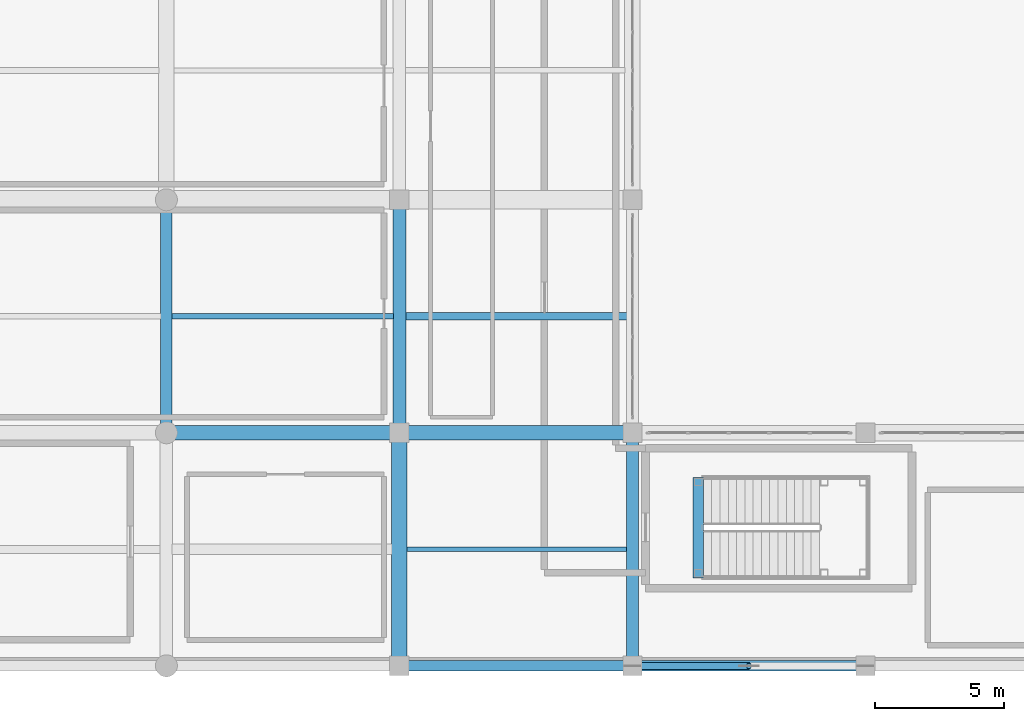
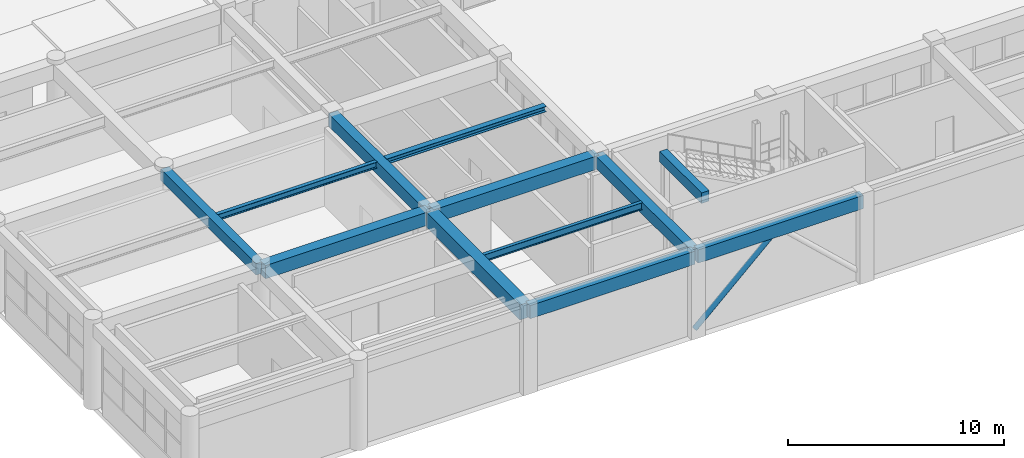
# One storey, part 18 of 128: 12 beams, 1 member.
"""IFC4 building model written with IfcOpenShell, lengths in metres."""

from ifc_helpers import new_model, si_unit, direction, frame, origin, origin_2d, place, context, subcontext, project, spatial, rectangle, hollow_circle, i_section, extrude, material, material_profile, profile_set, type_object, element, save


model = new_model("IFC4")

# Units and contexts
model_context = context("Model", 3, precision=1e-05, world=origin(), true_north=direction((0.0, 1.0)))
body_context = subcontext(model_context, "Body", "Model", "MODEL_VIEW")
ifc_project = project(units=[si_unit("LENGTHUNIT", "METRE"), si_unit("AREAUNIT", "SQUARE_METRE"), si_unit("VOLUMEUNIT", "CUBIC_METRE"), si_unit("PLANEANGLEUNIT", "RADIAN"), si_unit("MASSUNIT", "GRAM", prefix="KILO")], contexts=[model_context])

# Site, building, storey
site_placement = place(None, origin())
site = spatial("IfcSite", under=ifc_project, at=site_placement, CompositionType="ELEMENT")
building_placement = place(site_placement, origin())
building = spatial("IfcBuilding", under=site, at=building_placement, Name="Miravela Opera House", CompositionType="ELEMENT")
storey_placement = place(building_placement, origin())
storey = spatial("IfcBuildingStorey", under=building, at=storey_placement, Name="L00", CompositionType="ELEMENT", Elevation=0.0)

# Beams
ifc_material_1 = material(Name="Concrete C35/45", Category="concrete")
ifc_material_profile_1 = material_profile(ifc_material_1, rectangle(XDim=0.39990234375, YDim=0.60009765625, at=origin_2d()), Name="RC-BM-400X600")
ifc_profile_set_1 = profile_set([ifc_material_profile_1])
beam_type_1 = type_object("IfcBeamType", Name="STR-BM-RC400X600", PredefinedType="JOIST", material=ifc_profile_set_1)
beam_1_placement = place(storey_placement, frame((29.5400390625, 3.39990234375, 4.800048828125), z_axis=(0.0, 1.0, 0.0), x_axis=(-1.0, 0.0, 0.0)))
element("IfcBeam", 1, at=beam_1_placement, inside=storey, type_object=beam_type_1, Name="Stair ST-08 Opening Header Trimmer Beam 01", PredefinedType="JOIST", context=body_context, shape_type="SweptSolid", body=[
    extrude(rectangle(XDim=0.39990234375, YDim=0.60009765625, at=origin_2d()), origin(), (0.0, 0.0, 1.0), 3.880126953125),
])
ifc_material_profile_2 = material_profile(ifc_material_1, rectangle(XDim=0.449951171875, YDim=0.64990234375, at=origin_2d()), Name="RC-BM-450X650")
ifc_profile_set_2 = profile_set([ifc_material_profile_2])
beam_type_2 = type_object("IfcBeamType", Name="STR-BM-RC450X650", PredefinedType="BEAM", material=ifc_profile_set_2)
beam_2_placement = place(storey_placement, frame((9.0, 9.080078125, 4.52490234375), z_axis=(0.0, 1.0, 0.0), x_axis=(-1.0, 0.0, 0.0)))
element("IfcBeam", 2, at=beam_2_placement, inside=storey, type_object=beam_type_2, Name="Floor Girder L00 2/B-C", PredefinedType="BEAM", context=body_context, shape_type="SweptSolid", body=[
    extrude(rectangle(XDim=0.449951171875, YDim=0.64990234375, at=origin_2d()), origin(), (0.0, 0.0, 1.0), 8.83984375),
])
ifc_material_profile_3 = material_profile(ifc_material_1, rectangle(XDim=0.47998046875, YDim=0.679931640625, at=origin_2d()), Name="RC-BM-480X680")
ifc_profile_set_3 = profile_set([ifc_material_profile_3])
beam_type_3 = type_object("IfcBeamType", Name="STR-BM-RC480X680", PredefinedType="BEAM", material=ifc_profile_set_3)
beam_3_placement = place(storey_placement, frame((27.0, 0.080078125, 4.510009765625), z_axis=(0.0, 1.0, 0.0), x_axis=(-1.0, 0.0, 0.0)))
element("IfcBeam", 3, at=beam_3_placement, inside=storey, type_object=beam_type_3, Name="Floor Girder L00 4/A-B", PredefinedType="BEAM", context=body_context, shape_type="SweptSolid", body=[
    extrude(rectangle(XDim=0.47998046875, YDim=0.679931640625, at=origin_2d()), origin(), (0.0, 0.0, 1.0), 8.83984375),
])
ifc_material_profile_4 = material_profile(ifc_material_1, rectangle(XDim=0.5, YDim=0.699951171875, at=origin_2d()), Name="RC-BM-500X700")
ifc_profile_set_4 = profile_set([ifc_material_profile_4])
beam_type_4 = type_object("IfcBeamType", Name="STR-BM-RC500X700", PredefinedType="BEAM", material=ifc_profile_set_4)
beam_4_placement = place(storey_placement, frame((18.0, 9.080078125, 4.5), z_axis=(0.0, 1.0, 0.0), x_axis=(-1.0, 0.0, 0.0)))
element("IfcBeam", 4, at=beam_4_placement, inside=storey, type_object=beam_type_4, Name="Floor Girder L00 3/B-C", PredefinedType="BEAM", context=body_context, shape_type="SweptSolid", body=[
    extrude(rectangle(XDim=0.5, YDim=0.699951171875, at=origin_2d()), origin(), (0.0, 0.0, 1.0), 8.83984375),
])
ifc_material_profile_5 = material_profile(ifc_material_1, rectangle(XDim=0.550048828125, YDim=0.75, at=origin_2d()), Name="RC-BM-550X750")
ifc_profile_set_5 = profile_set([ifc_material_profile_5])
beam_type_5 = type_object("IfcBeamType", Name="STR-BM-RC550X750", PredefinedType="BEAM", material=ifc_profile_set_5)
for number, where, z_axis, x_axis, name in (
    (5, (9.080078125, 9.0, 4.47509765625), (1.0, 0.0, 0.0), (0.0, 1.0, 0.0), "Floor Girder L00 2-3/B"),
    (6, (18.080078125, 9.0, 4.47509765625), (1.0, 0.0, 0.0), (0.0, 1.0, 0.0), "Floor Girder L00 3-4/B"),
):
    element("IfcBeam", number, at=place(storey_placement, frame(where, z_axis=z_axis, x_axis=x_axis)), inside=storey, type_object=beam_type_5, Name=name, PredefinedType="BEAM", context=body_context, shape_type="SweptSolid", body=[
        extrude(rectangle(XDim=0.550048828125, YDim=0.75, at=origin_2d()), origin(), (0.0, 0.0, 1.0), 8.83984375),
    ])
ifc_material_2 = material(Name="Concrete C40/50", Category="concrete")
ifc_material_profile_6 = material_profile(ifc_material_2, rectangle(XDim=0.60009765625, YDim=0.85009765625, at=origin_2d()), Name="RC-BM-600X850")
ifc_profile_set_6 = profile_set([ifc_material_profile_6])
beam_type_6 = type_object("IfcBeamType", Name="STR-BM-RC600X850", PredefinedType="BEAM", material=ifc_profile_set_6)
beam_5_placement = place(storey_placement, frame((18.0, 0.080078125, 4.425048828125), z_axis=(0.0, 1.0, 0.0), x_axis=(-1.0, 0.0, 0.0)))
element("IfcBeam", 7, at=beam_5_placement, inside=storey, type_object=beam_type_6, Name="Floor Girder L00 3/A-B", PredefinedType="BEAM", context=body_context, shape_type="SweptSolid", body=[
    extrude(rectangle(XDim=0.60009765625, YDim=0.85009765625, at=origin_2d()), origin(), (0.0, 0.0, 1.0), 8.83984375),
])
ifc_material_3 = material(Name="Structural steel ASTM A992 Gr. 50", Category="steel")
ifc_material_profile_7 = material_profile(ifc_material_3, i_section(OverallWidth=0.304931640625, OverallDepth=0.30810546875, WebThickness=0.010009765625, FlangeThickness=0.015380859375, FilletRadius=0.013916015625, at=origin_2d()), Name="W310X97")
ifc_profile_set_7 = profile_set([ifc_material_profile_7])
beam_type_7 = type_object("IfcBeamType", Name="STR-BM-W310X97", PredefinedType="JOIST", material=ifc_profile_set_7)
beam_6_placement = place(storey_placement, frame((18.235107421875, 13.5, 4.716064453125), z_axis=(1.0, 0.0, 0.0), x_axis=(0.0, 1.0, 0.0)))
element("IfcBeam", 8, at=beam_6_placement, inside=storey, type_object=beam_type_7, Name="Secondary Floor Joist L00 3-4/B-C", PredefinedType="JOIST", context=body_context, shape_type="SweptSolid", body=[
    extrude(i_section(OverallWidth=0.304931640625, OverallDepth=0.30810546875, WebThickness=0.010009765625, FlangeThickness=0.015380859375, FilletRadius=0.013916015625, at=origin_2d()), origin(), (0.0, 0.0, 1.0), 8.554931640625),
])
ifc_material_profile_8 = material_profile(ifc_material_3, i_section(OverallWidth=0.2041015625, OverallDepth=0.35009765625, WebThickness=0.008544921875, FlangeThickness=0.01513671875, FilletRadius=0.013916015625, at=origin_2d()), Name="W360X72")
ifc_profile_set_8 = profile_set([ifc_material_profile_8])
beam_type_8 = type_object("IfcBeamType", Name="STR-BM-W360X72", PredefinedType="JOIST", material=ifc_profile_set_8)
beam_7_placement = place(storey_placement, frame((9.2099609375, 13.5, 4.675048828125), z_axis=(1.0, 0.0, 0.0), x_axis=(0.0, 1.0, 0.0)))
element("IfcBeam", 9, at=beam_7_placement, inside=storey, type_object=beam_type_8, Name="Secondary Floor Joist L00 2-3/B-C", PredefinedType="JOIST", context=body_context, shape_type="SweptSolid", body=[
    extrude(i_section(OverallWidth=0.2041015625, OverallDepth=0.35009765625, WebThickness=0.008544921875, FlangeThickness=0.01513671875, FilletRadius=0.013916015625, at=origin_2d()), origin(), (0.0, 0.0, 1.0), 8.554931640625),
])
ifc_material_profile_9 = material_profile(ifc_material_3, i_section(OverallWidth=0.177978515625, OverallDepth=0.406982421875, WebThickness=0.0078125, FlangeThickness=0.0126953125, FilletRadius=0.012939453125, at=origin_2d()), Name="W410X60")
ifc_profile_set_9 = profile_set([ifc_material_profile_9])
beam_type_9 = type_object("IfcBeamType", Name="STR-BM-W410X60", PredefinedType="JOIST", material=ifc_profile_set_9)
beam_8_placement = place(storey_placement, frame((18.284912109375, 4.5, 4.646484375), z_axis=(1.0, 0.0, 0.0), x_axis=(0.0, 1.0, 0.0)))
element("IfcBeam", 10, at=beam_8_placement, inside=storey, type_object=beam_type_9, Name="Secondary Floor Joist L00 3-4/A-B", PredefinedType="JOIST", context=body_context, shape_type="SweptSolid", body=[
    extrude(i_section(OverallWidth=0.177978515625, OverallDepth=0.406982421875, WebThickness=0.0078125, FlangeThickness=0.0126953125, FilletRadius=0.012939453125, at=origin_2d()), origin(), (0.0, 0.0, 1.0), 8.489990234375),
])

# Member
ifc_material_4 = material(Name="Hollow structural steel ASTM A500 Gr. C", Category="steel")
ifc_material_profile_10 = material_profile(ifc_material_4, hollow_circle(Radius=0.136474609375, WallThickness=0.010009765625, at=origin_2d()), Name="CHS273X10")
ifc_profile_set_10 = profile_set([ifc_material_profile_10])
member_type = type_object("IfcMemberType", Name="STR-MEM-FRAME-BR2", PredefinedType="BRACE", material=ifc_profile_set_10)
member_placement = place(storey_placement, frame((27.0, 0.0, 0.300048828125), z_axis=(0.73105922506, 0.0, 0.682314010889), x_axis=(0.0, 1.0, 0.0)))
element("IfcMember", 11, at=member_placement, inside=storey, type_object=member_type, Name="Concentric Braced Frame BF-S1 L00 Left Brace", PredefinedType="BRACE", context=body_context, shape_type="SweptSolid", body=[
    extrude(hollow_circle(Radius=0.136474609375, WallThickness=0.010009765625, at=origin_2d()), origin(), (0.0, 0.0, 1.0), 6.155517578125),
])

# Beams
ifc_material_profile_11 = material_profile(ifc_material_1, rectangle(XDim=0.39990234375, YDim=0.75, at=origin_2d()), Name="RC-SPN-400X750")
ifc_profile_set_11 = profile_set([ifc_material_profile_11])
beam_type_10 = type_object("IfcBeamType", Name="STR-SPN-RC400X750", PredefinedType="SPANDREL", material=ifc_profile_set_11)
for number, where, z_axis, x_axis, name in (
    (12, (18.080078125, 0.0, 4.47509765625), (1.0, 0.0, 0.0), (0.0, 1.0, 0.0), "Floor Girder L00 3-4/A"),
    (13, (27.080078125, 0.0, 4.47509765625), (1.0, 0.0, 0.0), (0.0, 1.0, 0.0), "Floor Girder L00 4-5/A"),
):
    element("IfcBeam", number, at=place(storey_placement, frame(where, z_axis=z_axis, x_axis=x_axis)), inside=storey, type_object=beam_type_10, Name=name, PredefinedType="SPANDREL", context=body_context, shape_type="SweptSolid", body=[
        extrude(rectangle(XDim=0.39990234375, YDim=0.75, at=origin_2d()), origin(), (0.0, 0.0, 1.0), 8.83984375),
    ])

save(model, "model.ifc")
